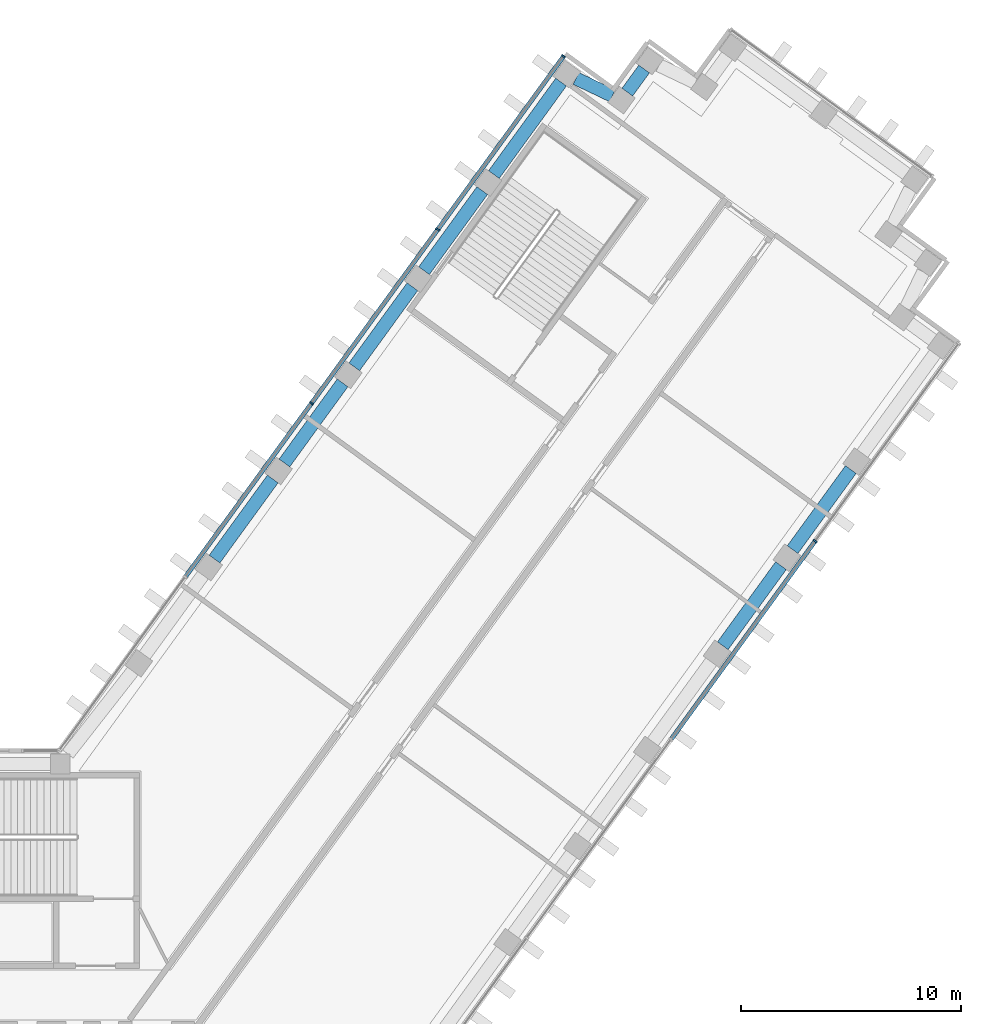
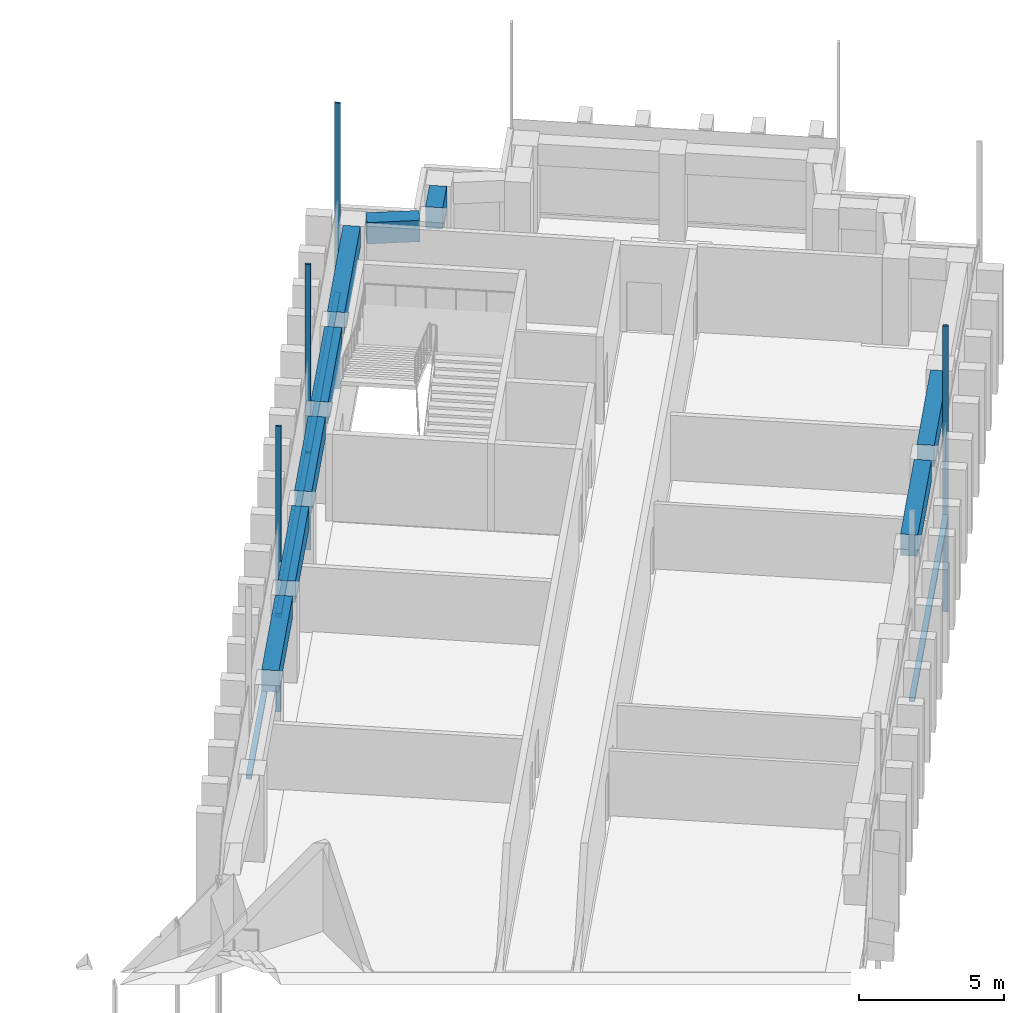
# One storey, part 6 of 19: 9 beams, 8 members, 2 elements without a shape of their own.
"""IFC4 building model written with IfcOpenShell, lengths in metres."""

import ifcopenshell
import ifcopenshell.guid

model = None  # the IFC model being written
_history = None  # IfcOwnerHistory: only IFC2X3 demands one
_inside = {}  # id of a spatial element -> (the spatial element, [elements in it])
_under = {}  # id of a project, library or spatial element -> (it, [spatial elements below it])
_declared = {}  # id of a project -> (the project, [libraries it declares])
_typed = {}  # id of a type object -> (the type object, [elements of that type])
_made_of = {}  # id of a material, layer set ... -> (it, [elements and type objects made of it])


def new_model(schema):
    """Start an empty IFC model of exactly this schema.

    Asked for "IFC4X3", IfcOpenShell would pick the latest addendum, in which some entities
    have other attributes; the version numbers below select the first issue.
    IFC2X3 requires an IfcOwnerHistory on every rooted entity: one is made here for all.
    """
    global model, _history
    if schema == "IFC4X3":
        model = ifcopenshell.file(schema_version=(4, 3, 0, 0))
    else:
        model = ifcopenshell.file(schema=schema)
    _inside.clear()
    _under.clear()
    _declared.clear()
    _typed.clear()
    _made_of.clear()
    _history = None
    if model.schema == "IFC2X3":
        org = make("IfcOrganization", Name="unknown")
        user = make(
            "IfcPersonAndOrganization",
            ThePerson=make("IfcPerson", FamilyName="unknown"),
            TheOrganization=org,
        )
        app = make(
            "IfcApplication",
            ApplicationDeveloper=org,
            Version="unknown",
            ApplicationFullName="unknown",
            ApplicationIdentifier="unknown",
        )
        _history = make(
            "IfcOwnerHistory",
            OwningUser=user,
            OwningApplication=app,
            ChangeAction="ADDED",
            CreationDate=0,
        )
    return model


def make(cls, **values):
    """One entity of the class cls with the attributes given. An attribute that is None is left unset."""
    return model.create_entity(
        cls, **{name: value for name, value in values.items() if value is not None}
    )


def rooted(cls, **values):
    """An entity with a GlobalId (a new one), such as an element, a storey or a relation."""
    return make(cls, GlobalId=ifcopenshell.guid.new(), OwnerHistory=_history, **values)


def si_unit(unit_type, name, prefix=None):
    """IfcSIUnit, for example si_unit("LENGTHUNIT", "METRE", prefix="MILLI")."""
    return make("IfcSIUnit", UnitType=unit_type, Prefix=prefix, Name=name)


def assignment(units):
    """IfcUnitAssignment: the units of a project."""
    return None if units is None else make("IfcUnitAssignment", Units=units)


def point(xyz):
    """IfcCartesianPoint."""
    return None if xyz is None else make("IfcCartesianPoint", Coordinates=xyz)


def direction(xyz):
    """IfcDirection."""
    return None if xyz is None else make("IfcDirection", DirectionRatios=xyz)


def frame(location, z_axis=None, x_axis=None):
    """IfcAxis2Placement3D, a coordinate frame: its origin and axes. An axis left out is left unset."""
    return make(
        "IfcAxis2Placement3D",
        Location=point(location),
        Axis=direction(z_axis),
        RefDirection=direction(x_axis),
    )


def frame_2d(location, x_axis=None):
    """IfcAxis2Placement2D, a coordinate frame in the plane: its origin and x axis."""
    return make(
        "IfcAxis2Placement2D", Location=point(location), RefDirection=direction(x_axis)
    )


def origin():
    """The frame at (0, 0, 0) with its axes left unset."""
    return frame((0.0, 0.0, 0.0))


def origin_2d():
    """The frame at (0, 0) in the plane with its x axis left unset."""
    return frame_2d((0.0, 0.0))


def place(relative_to, where):
    """IfcLocalPlacement: puts the frame where relative to a parent placement (None: the world)."""
    return make(
        "IfcLocalPlacement", PlacementRelTo=relative_to, RelativePlacement=where
    )


def context(
    kind, dimensions, precision=None, world=None, true_north=None, identifier=None
):
    """IfcGeometricRepresentationContext, for example the 3D "Model" context."""
    return make(
        "IfcGeometricRepresentationContext",
        ContextIdentifier=identifier,
        ContextType=kind,
        CoordinateSpaceDimension=dimensions,
        Precision=precision,
        WorldCoordinateSystem=world,
        TrueNorth=true_north,
    )


def subcontext(parent, identifier, kind, view, scale=None):
    """IfcGeometricRepresentationSubContext, for example "Body" below "Model"."""
    return make(
        "IfcGeometricRepresentationSubContext",
        ContextIdentifier=identifier,
        ContextType=kind,
        ParentContext=parent,
        TargetScale=scale,
        TargetView=view,
    )


def project(units=None, contexts=None):
    """IfcProject with its units and contexts."""
    return rooted(
        "IfcProject",
        Name="project",
        RepresentationContexts=contexts,
        UnitsInContext=assignment(units),
    )


def spatial(cls, under=None, at=None, **own):
    """A site, building, storey or space (cls), placed at a placement, below another one or the project."""
    s = rooted(cls, ObjectPlacement=at, **own)
    if under is not None:
        _under.setdefault(under.id(), (under, []))[1].append(s)
    return s


def profile(cls, at=None, kind="AREA", **sizes):
    """A parametric profile (cls). Its sizes go by their IFC names, for example OverallWidth=200.0."""
    return make(cls, ProfileType=kind, Position=at, **sizes)


def rectangle(**sizes):
    """IfcRectangleProfileDef."""
    return profile("IfcRectangleProfileDef", **sizes)


def extrude(swept, where, along, depth):
    """IfcExtrudedAreaSolid: the profile swept, set in the frame where, extruded along a direction by depth."""
    return make(
        "IfcExtrudedAreaSolid",
        SweptArea=swept,
        Position=where,
        ExtrudedDirection=direction(along),
        Depth=depth,
    )


def shape(context_of_items, identifier, shape_type, items):
    """IfcShapeRepresentation: the items that make up one representation, for example the "Body"."""
    return make(
        "IfcShapeRepresentation",
        ContextOfItems=context_of_items,
        RepresentationIdentifier=identifier,
        RepresentationType=shape_type,
        Items=items,
    )


def material(Name=None, Category=None):
    """IfcMaterial."""
    return make("IfcMaterial", Name=Name, Category=Category)


def material_profile(
    of_material, cross_section, Name=None, Category=None, Priority=None
):
    """IfcMaterialProfile: a cross section and its material."""
    return make(
        "IfcMaterialProfile",
        Name=Name,
        Material=of_material,
        Profile=cross_section,
        Priority=Priority,
        Category=Category,
    )


def profile_set(profiles, Name=None, composite=None):
    """IfcMaterialProfileSet."""
    return make(
        "IfcMaterialProfileSet",
        Name=Name,
        MaterialProfiles=profiles,
        CompositeProfile=composite,
    )


def made_of(thing, what):
    """Note that an element or type object is made of a material, layer set ...; save() writes the relation."""
    if what is not None:
        _made_of.setdefault(what.id(), (what, []))[1].append(thing)
    return thing


def type_object(cls, material=None, **own):
    """A type object (cls), such as IfcWallType, which elements share."""
    return made_of(rooted(cls, **own), material)


def element(
    cls,
    number,
    at=None,
    inside=None,
    cuts=None,
    type_object=None,
    material=None,
    context=None,
    identifier="Body",
    shape_type=None,
    held_by="IfcProductDefinitionShape",
    body=None,
    shapes=None,
    **own,
):
    """One element of the class cls, such as IfcWall. Its Tag is "e" and its number.

    at: its placement. inside: the storey or other place that contains it. cuts: it is an
    opening in that element (IfcRelVoidsElement). A single representation is given by context,
    identifier, shape_type and body (its items); several are given by shapes. held_by: the class
    of the entity that holds the representations. save() writes the other relations.
    """
    e = rooted(cls, Tag="e%d" % number, ObjectPlacement=at, **own)
    if body is not None:
        shapes = [shape(context, identifier, shape_type, body)]
    if shapes is not None:
        e.Representation = make(held_by, Representations=shapes)
    if inside is not None:
        _inside.setdefault(inside.id(), (inside, []))[1].append(e)
    if cuts is not None:
        rooted(
            "IfcRelVoidsElement", RelatingBuildingElement=cuts, RelatedOpeningElement=e
        )
    if type_object is not None:
        _typed.setdefault(type_object.id(), (type_object, []))[1].append(e)
    return made_of(e, material)


def aggregate(whole, parts):
    """IfcRelAggregates: a whole, such as a stair, and the parts it consists of."""
    return rooted("IfcRelAggregates", RelatingObject=whole, RelatedObjects=parts)


def save(model, path):
    """Write the relations noted so far, then the file.

    IfcRelAggregates (storeys below a building ...), IfcRelContainedInSpatialStructure (elements
    in a storey), IfcRelDefinesByType, IfcRelAssociatesMaterial and IfcRelDeclares: one each for
    every whole, place, type object, material and project.
    """
    for whole, parts in _under.values():
        aggregate(whole, parts)
    for where, things in _inside.values():
        rooted(
            "IfcRelContainedInSpatialStructure",
            RelatedElements=things,
            RelatingStructure=where,
        )
    for kind, things in _typed.values():
        rooted("IfcRelDefinesByType", RelatedObjects=things, RelatingType=kind)
    for what, things in _made_of.values():
        rooted("IfcRelAssociatesMaterial", RelatedObjects=things, RelatingMaterial=what)
    for by, libraries in _declared.values():
        rooted("IfcRelDeclares", RelatingContext=by, RelatedDefinitions=libraries)
    model.write(path)


model = new_model("IFC4")

# Units and contexts
model_context = context("Model", 3, precision=1e-05, world=origin(), true_north=direction((0.0, 1.0)))
body_context = subcontext(model_context, "Body", "Model", "MODEL_VIEW")
ifc_project = project(units=[si_unit("LENGTHUNIT", "METRE"), si_unit("AREAUNIT", "SQUARE_METRE"), si_unit("VOLUMEUNIT", "CUBIC_METRE"), si_unit("PLANEANGLEUNIT", "RADIAN"), si_unit("MASSUNIT", "GRAM", prefix="KILO")], contexts=[model_context])

# Site, building, storey
site_placement = place(None, origin())
site = spatial("IfcSite", under=ifc_project, at=site_placement, CompositionType="ELEMENT")
building_placement = place(site_placement, origin())
building = spatial("IfcBuilding", under=site, at=building_placement, Name="Quipu Civic Tower", CompositionType="ELEMENT")
storey_placement = place(building_placement, frame((0.0, 0.0, 47.0)))
storey = spatial("IfcBuildingStorey", under=building, at=storey_placement, Name="L10", CompositionType="ELEMENT", Elevation=47.0)

# Curtain wall, member
ifc_material_1 = material(Name="Insulated glass unit", Category="glass")
curtain_wall_type = type_object("IfcCurtainWallType", Name="Office curtain wall CW1", PredefinedType="NOTDEFINED", material=ifc_material_1)
curtain_wall_1_placement = place(storey_placement, origin())
curtain_wall_1 = element("IfcCurtainWall", 1, at=curtain_wall_1_placement, inside=storey, type_object=curtain_wall_type, Name="Office curtain wall CW1 L09 run 19", PredefinedType="NOTDEFINED")
ifc_material_2 = material(Name="Anodised aluminium", Category="aluminium")
ifc_material_profile_1 = material_profile(ifc_material_2, rectangle(XDim=0.199951171875, YDim=0.080078125, at=origin_2d()), Name="RECT 200x80")
ifc_profile_set_1 = profile_set([ifc_material_profile_1], Name="Anodised aluminium")
member_type_1 = type_object("IfcMemberType", Name="Mullion CW1", PredefinedType="MULLION", material=ifc_profile_set_1)
member_1_placement = place(storey_placement, frame((48.70458984375, 20.6240234375, -3.919921875), z_axis=(0.0, 0.0, 1.0), x_axis=(-0.809016770908, 0.587785559869, 0.0)))
member_1 = element("IfcMember", 2, at=member_1_placement, type_object=member_type_1, Name="CW1 mullion 4", PredefinedType="MULLION", context=body_context, shape_type="SweptSolid", body=[
    extrude(rectangle(XDim=0.199951171875, YDim=0.080078125, at=origin_2d()), origin(), (0.0, 0.0, 1.0), 12.0),
])

# Curtain wall, members
curtain_wall_2_placement = place(storey_placement, origin())
curtain_wall_2 = element("IfcCurtainWall", 3, at=curtain_wall_2_placement, inside=storey, type_object=curtain_wall_type, Name="Office curtain wall CW1 L09 run 29", PredefinedType="NOTDEFINED")
member_2_placement = place(storey_placement, frame((37.2705078125, 42.655029296875, -3.919921875), z_axis=(0.0, 0.0, 1.0), x_axis=(0.809016532822, -0.587785887566, 0.0)))
member_2 = element("IfcMember", 4, at=member_2_placement, type_object=member_type_1, Name="CW1 mullion 1", PredefinedType="MULLION", context=body_context, shape_type="SweptSolid", body=[
    extrude(rectangle(XDim=0.199951171875, YDim=0.080078125, at=origin_2d()), origin(), (0.0, 0.0, 1.0), 12.0),
])
member_3_placement = place(storey_placement, frame((31.556396484375, 34.79052734375, -3.919921875), z_axis=(0.0, 0.0, 1.0), x_axis=(0.809016532822, -0.587785887566, 0.0)))
member_3 = element("IfcMember", 5, at=member_3_placement, type_object=member_type_1, Name="CW1 mullion 2", PredefinedType="MULLION", context=body_context, shape_type="SweptSolid", body=[
    extrude(rectangle(XDim=0.199951171875, YDim=0.080078125, at=origin_2d()), origin(), (0.0, 0.0, 1.0), 12.0),
])
member_4_placement = place(storey_placement, frame((25.819091796875, 26.893798828125, -3.919921875), z_axis=(0.0, 0.0, 1.0), x_axis=(0.809016532822, -0.587785887566, 0.0)))
member_4 = element("IfcMember", 6, at=member_4_placement, type_object=member_type_1, Name="CW1 mullion 3", PredefinedType="MULLION", context=body_context, shape_type="SweptSolid", body=[
    extrude(rectangle(XDim=0.199951171875, YDim=0.080078125, at=origin_2d()), origin(), (0.0, 0.0, 1.0), 12.0),
])

# Beams
ifc_material_3 = material(Name="Concrete C50/60", Category="concrete")
ifc_material_profile_2 = material_profile(ifc_material_3, rectangle(XDim=0.60009765625, YDim=0.89990234375, at=origin_2d()), Name="RC600x900")
ifc_profile_set_2 = profile_set([ifc_material_profile_2], Name="Concrete C50/60")
beam_type = type_object("IfcBeamType", Name="Spandrel beam RC 600x900 C50/60", PredefinedType="SPANDREL", material=ifc_profile_set_2)
beam_1_placement = place(storey_placement, frame((44.5087890625, 15.870361328125, 3.199951171875), z_axis=(0.587803872688, 0.809003465539, 0.0), x_axis=(-0.809003465539, 0.587803872688, 0.0)))
element("IfcBeam", 7, at=beam_1_placement, inside=storey, type_object=beam_type, Name="Spandrel beam L10 E-OUT-05 to E-OUT-06", PredefinedType="SPANDREL", context=body_context, shape_type="SweptSolid", body=[
    extrude(rectangle(XDim=0.60009765625, YDim=0.89990234375, at=origin_2d()), origin(), (0.0, 0.0, 1.0), 4.499755859375),
])
beam_2_placement = place(storey_placement, frame((47.682861328125, 20.23876953125, 3.199951171875), z_axis=(0.587778073121, 0.809022210299, 0.0), x_axis=(-0.809022210299, 0.587778073121, 0.0)))
element("IfcBeam", 8, at=beam_2_placement, inside=storey, type_object=beam_type, Name="Spandrel beam L10 E-OUT-06 to E-OUT-07", PredefinedType="SPANDREL", context=body_context, shape_type="SweptSolid", body=[
    extrude(rectangle(XDim=0.60009765625, YDim=0.89990234375, at=origin_2d()), origin(), (0.0, 0.0, 1.0), 4.5),
])
beam_3_placement = place(storey_placement, frame((40.935302734375, 42.0810546875, 3.199951171875), z_axis=(-0.588461937499, -0.808524921146, 0.0), x_axis=(0.808524921146, -0.588461937499, 0.0)))
element("IfcBeam", 9, at=beam_3_placement, inside=storey, type_object=beam_type, Name="Spandrel beam L10 T-Ei.2-E50 to T-Ei.3-E50", PredefinedType="SPANDREL", context=body_context, shape_type="SweptSolid", body=[
    extrude(rectangle(XDim=0.60009765625, YDim=0.89990234375, at=origin_2d()), origin(), (0.0, 0.0, 1.0), 1.30029296875),
])
beam_4_placement = place(storey_placement, frame((39.492431640625, 40.863037109375, 3.199951171875), z_axis=(-0.90245397739, 0.430786279601, 0.0), x_axis=(-0.430786279601, -0.90245397739, 0.0)))
element("IfcBeam", 10, at=beam_4_placement, inside=storey, type_object=beam_type, Name="Spandrel beam L10 T-Ei.3-E50 to T-Ei.4-E50", PredefinedType="SPANDREL", context=body_context, shape_type="SweptSolid", body=[
    extrude(rectangle(XDim=0.60009765625, YDim=0.89990234375, at=origin_2d()), origin(), (0.0, 0.0, 1.0), 1.83349609375),
])
beam_5_placement = place(storey_placement, frame((37.160400390625, 41.48583984375, 3.199951171875), z_axis=(-0.587732861365, -0.80905505602, 0.0), x_axis=(0.80905505602, -0.587732861365, 0.0)))
element("IfcBeam", 11, at=beam_5_placement, inside=storey, type_object=beam_type, Name="Spandrel beam L10 T-Ei.4-E50 to E-IN-06", PredefinedType="SPANDREL", context=body_context, shape_type="SweptSolid", body=[
    extrude(rectangle(XDim=0.60009765625, YDim=0.89990234375, at=origin_2d()), origin(), (0.0, 0.0, 1.0), 5.194580078125),
])
for number, where, z_axis, x_axis, name in (
    (12, (33.578369140625, 36.55517578125, 3.199951171875), (-0.587716763865, -0.809066749701, 0.0), (0.809066749701, -0.587716763865, 0.0), "Spandrel beam L10 E-IN-06 to E-IN-05"),
    (13, (30.404541015625, 32.186279296875, 3.199951171875), (-0.587742561851, -0.809048009076, 0.0), (0.809048009076, -0.587742561851, 0.0), "Spandrel beam L10 E-IN-05 to E-IN-04"),
    (14, (27.230712890625, 27.8173828125, 3.199951171875), (-0.587778073121, -0.809022210299, 0.0), (0.809022210299, -0.587778073121, 0.0), "Spandrel beam L10 E-IN-04 to E-IN-03"),
    (15, (24.056884765625, 23.448486328125, 3.199951171875), (-0.587778073121, -0.809022210299, 0.0), (0.809022210299, -0.587778073121, 0.0), "Spandrel beam L10 E-IN-03 to E-IN-02"),
):
    element("IfcBeam", number, at=place(storey_placement, frame(where, z_axis=z_axis, x_axis=x_axis)), inside=storey, type_object=beam_type, Name=name, PredefinedType="SPANDREL", context=body_context, shape_type="SweptSolid", body=[
        extrude(rectangle(XDim=0.60009765625, YDim=0.89990234375, at=origin_2d()), origin(), (0.0, 0.0, 1.0), 4.5),
    ])

# Member
ifc_material_4 = material(Name="Anodised aluminium", Category="aluminium")
ifc_material_profile_3 = material_profile(ifc_material_4, rectangle(XDim=0.199951171875, YDim=0.159912109375, at=origin_2d()), Name="RECT 200x160")
ifc_profile_set_3 = profile_set([ifc_material_profile_3], Name="Anodised aluminium")
member_type_2 = type_object("IfcMemberType", Name="Transom CW1", PredefinedType="USERDEFINED", material=ifc_profile_set_3)
member_5_placement = place(storey_placement, frame((42.178466796875, 11.6416015625, 0.080078125), z_axis=(0.587795037589, 0.80900988485, 0.0), x_axis=(-0.80900988485, 0.587795037589, 0.0)))
member_5 = element("IfcMember", 16, at=member_5_placement, type_object=member_type_2, Name="CW1 transom 3.2", ObjectType="TRANSOM", PredefinedType="USERDEFINED", context=body_context, shape_type="SweptSolid", body=[
    extrude(rectangle(XDim=0.199951171875, YDim=0.159912109375, at=origin_2d()), origin(), (0.0, 0.0, 1.0), 11.062744140625),
])

aggregate(curtain_wall_1, [member_1, member_5])

member_6_placement = place(storey_placement, frame((37.246826171875, 42.622802734375, 0.080078125), z_axis=(-0.587775627857, -0.809023986849, 0.0), x_axis=(0.809023986849, -0.587775627857, 0.0)))
member_6 = element("IfcMember", 17, at=member_6_placement, type_object=member_type_2, Name="CW1 transom 1.2", ObjectType="TRANSOM", PredefinedType="USERDEFINED", context=body_context, shape_type="SweptSolid", body=[
    extrude(rectangle(XDim=0.199951171875, YDim=0.159912109375, at=origin_2d()), origin(), (0.0, 0.0, 1.0), 9.64111328125),
])

member_7_placement = place(storey_placement, frame((31.532958984375, 34.75830078125, 0.080078125), z_axis=(-0.58778177227, -0.809019522748, 0.0), x_axis=(0.809019522748, -0.58778177227, 0.0)))
member_7 = element("IfcMember", 18, at=member_7_placement, type_object=member_type_2, Name="CW1 transom 2.2", ObjectType="TRANSOM", PredefinedType="USERDEFINED", context=body_context, shape_type="SweptSolid", body=[
    extrude(rectangle(XDim=0.199951171875, YDim=0.159912109375, at=origin_2d()), origin(), (0.0, 0.0, 1.0), 9.68115234375),
])

member_8_placement = place(storey_placement, frame((25.795654296875, 26.861328125, 0.080078125), z_axis=(-0.587793764301, -0.80901080997, 0.0), x_axis=(0.80901080997, -0.587793764301, 0.0)))
member_8 = element("IfcMember", 19, at=member_8_placement, type_object=member_type_2, Name="CW1 transom 3.2", ObjectType="TRANSOM", PredefinedType="USERDEFINED", context=body_context, shape_type="SweptSolid", body=[
    extrude(rectangle(XDim=0.199951171875, YDim=0.159912109375, at=origin_2d()), origin(), (0.0, 0.0, 1.0), 9.680908203125),
])

aggregate(curtain_wall_2, [member_2, member_3, member_4, member_6, member_7, member_8])

save(model, "model.ifc")
